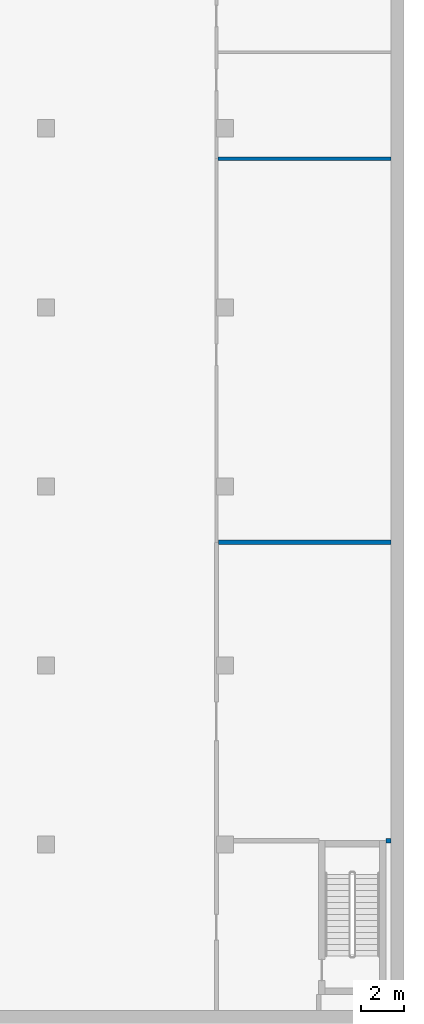
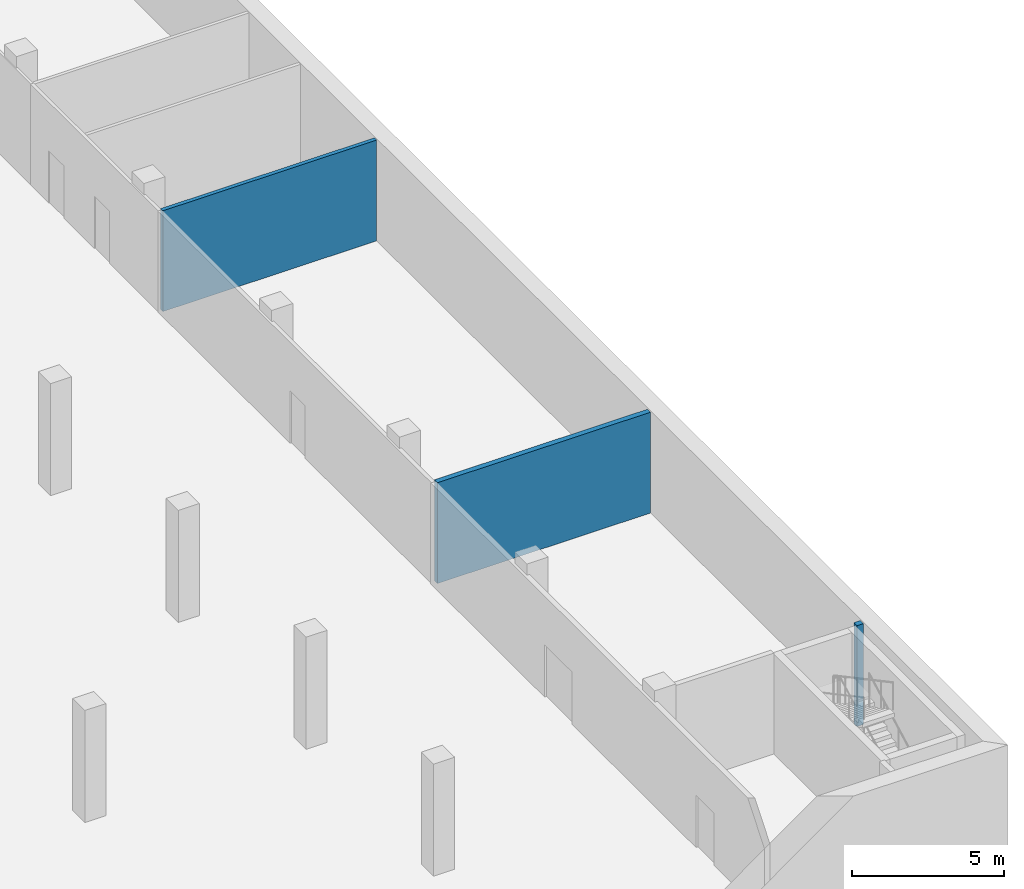
# One storey, part 12 of 21: 3 walls.
"""IFC4 building model written with IfcOpenShell, lengths in metres."""

from ifc_helpers import new_model, si_unit, direction, frame, frame_2d, origin, place, context, subcontext, project, spatial, rectangle, extrude, material, layer, layer_set, type_object, element, save


model = new_model("IFC4")

# Units and contexts
model_context = context("Model", 3, precision=1e-05, world=origin(), true_north=direction((0.0, 1.0)))
body_context = subcontext(model_context, "Body", "Model", "MODEL_VIEW")
ifc_project = project(units=[si_unit("LENGTHUNIT", "METRE"), si_unit("AREAUNIT", "SQUARE_METRE"), si_unit("VOLUMEUNIT", "CUBIC_METRE"), si_unit("PLANEANGLEUNIT", "RADIAN"), si_unit("MASSUNIT", "GRAM", prefix="KILO")], contexts=[model_context])

# Site, building, storey
site_placement = place(None, origin())
site = spatial("IfcSite", under=ifc_project, at=site_placement, CompositionType="ELEMENT")
building_placement = place(site_placement, origin())
building = spatial("IfcBuilding", under=site, at=building_placement, Name="Trine Commons Tower", CompositionType="ELEMENT")
storey_placement = place(building_placement, frame((0.0, 0.0, -4.5)))
storey = spatial("IfcBuildingStorey", under=building, at=storey_placement, Name="B1", CompositionType="ELEMENT", Elevation=-4.5)

# Walls
ifc_material = material(Name="Plasterboard on steel stud", Category="steel")
ifc_layer_1 = layer(ifc_material, 0.14990234375)
ifc_layer_set_1 = layer_set([ifc_layer_1], Name="Plasterboard on steel stud")
wall_type_1 = type_object("IfcWallType", Name="Compartment wall 150 mm, EI 60", PredefinedType="PARTITIONING", material=ifc_layer_set_1)
wall_1_placement = place(storey_placement, frame((130.074951171875, 61.070068359375, 0.0), z_axis=(0.0, 0.0, 1.0), x_axis=(1.0, 0.0, 0.0)))
element("IfcWall", 1, at=wall_1_placement, inside=storey, type_object=wall_type_1, Name="Partition B1028", PredefinedType="PARTITIONING", context=body_context, shape_type="SweptSolid", body=[
    extrude(rectangle(XDim=8.125, YDim=0.14990234375, at=frame_2d((4.0625, 0.0))), origin(), (0.0, 0.0, 1.0), 4.050048828125),
])
ifc_layer_2 = layer(ifc_material, 0.199951171875)
ifc_layer_set_2 = layer_set([ifc_layer_2], Name="Plasterboard on steel stud")
wall_type_2 = type_object("IfcWallType", Name="Fire wall 200 mm, EI 120", PredefinedType="PARTITIONING", material=ifc_layer_set_2)
wall_2_placement = place(storey_placement, frame((130.10009765625, 43.070068359375, 0.0), z_axis=(0.0, 0.0, 1.0), x_axis=(1.0, 0.0, 0.0)))
element("IfcWall", 2, at=wall_2_placement, inside=storey, type_object=wall_type_2, Name="Partition B1026", PredefinedType="PARTITIONING", context=body_context, shape_type="SweptSolid", body=[
    extrude(rectangle(XDim=8.099853515625, YDim=0.199951171875, at=frame_2d((4.0498046875, 0.0))), origin(), (0.0, 0.0, 1.0), 4.050048828125),
])
wall_3_placement = place(storey_placement, frame((137.951904296875, 29.070068359375, 0.0), z_axis=(0.0, 0.0, 1.0), x_axis=(1.0, 0.0, 0.0)))
element("IfcWall", 3, at=wall_3_placement, inside=storey, type_object=wall_type_2, Name="Partition B1035", PredefinedType="PARTITIONING", context=body_context, shape_type="SweptSolid", body=[
    extrude(rectangle(XDim=0.248046875, YDim=0.199951171875, at=frame_2d((0.1240234375, 0.0))), origin(), (0.0, 0.0, 1.0), 4.050048828125),
])

save(model, "model.ifc")
